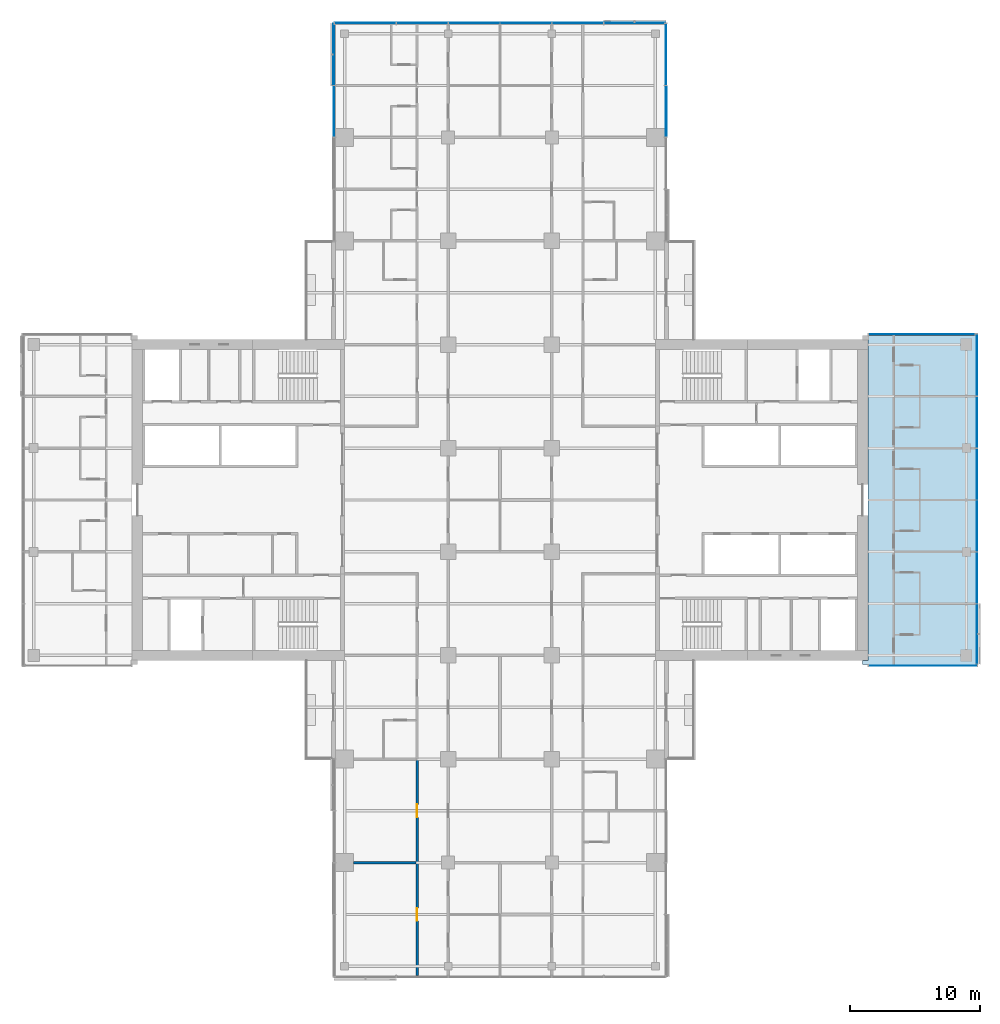
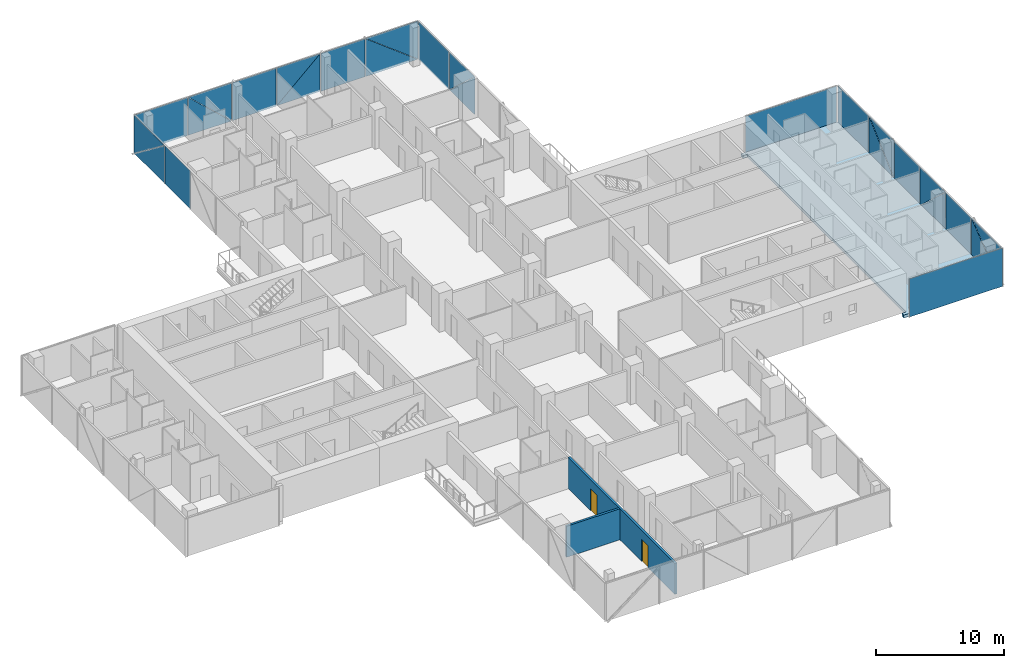
# One storey, part 14 of 27: 26 plates, 2 doors, 2 walls, 1 slab, 2 openings, 6 elements without a shape of their own.
"""IFC4 building model written with IfcOpenShell, lengths in metres."""

from ifc_helpers import new_model, si_unit, direction, frame, frame_2d, origin, place, context, subcontext, project, spatial, polyline, rectangle, outline, extrude, material, layer, layer_set, type_object, element, fill, aggregate, save


model = new_model("IFC4")

# Units and contexts
model_context = context("Model", 3, precision=1e-05, world=origin(), true_north=direction((0.0, 1.0)))
body_context = subcontext(model_context, "Body", "Model", "MODEL_VIEW")
ifc_project = project(units=[si_unit("LENGTHUNIT", "METRE"), si_unit("AREAUNIT", "SQUARE_METRE"), si_unit("VOLUMEUNIT", "CUBIC_METRE"), si_unit("PLANEANGLEUNIT", "RADIAN"), si_unit("MASSUNIT", "GRAM", prefix="KILO")], contexts=[model_context])

# Site, building, storey
site_placement = place(None, origin())
site = spatial("IfcSite", under=ifc_project, at=site_placement, CompositionType="ELEMENT")
building_placement = place(site_placement, origin())
building = spatial("IfcBuilding", under=site, at=building_placement, Name="Crosswind Convention Tower", CompositionType="ELEMENT")
storey_placement = place(building_placement, frame((0.0, 0.0, 90.5)))
storey = spatial("IfcBuildingStorey", under=building, at=storey_placement, Name="L17", CompositionType="ELEMENT", Elevation=90.5)

# Slab
ifc_material_1 = material(Name="Concrete C40/50", Category="concrete")
ifc_layer_1 = layer(ifc_material_1, 0.280029296875)
ifc_layer_set_1 = layer_set([ifc_layer_1], Name="Concrete C40/50")
slab_type = type_object("IfcSlabType", Name="Composite floor slab 280", PredefinedType="FLOOR", material=ifc_layer_set_1)
slab_placement = place(storey_placement, frame((0.0, 0.0, -0.280029296875)))
element("IfcSlab", 1, at=slab_placement, inside=storey, type_object=slab_type, Name="Floor slab L17 part 3", PredefinedType="FLOOR", context=body_context, shape_type="SweptSolid", body=[
    extrude(outline(polyline([(153.0, 112.699951171875), (161.0, 112.699951171875), (161.699951171875, 112.699951171875), (161.699951171875, 112.0), (161.699951171875, 88.0), (161.699951171875, 87.300048828125), (161.0, 87.300048828125), (153.0, 87.300048828125), (153.0, 87.60009765625), (153.39990234375, 87.60009765625), (153.39990234375, 112.39990234375), (153.0, 112.39990234375), (153.0, 112.699951171875)])), origin(), (0.0, 0.0, 1.0), 0.280029296875),
])

# Curtain wall, plate
ifc_material_2 = material(Name="Aluminium unitised curtain wall", Category="aluminium")
curtain_wall_type_1 = type_object("IfcCurtainWallType", Name="CORE END SLOT WALL 160", PredefinedType="USERDEFINED", material=ifc_material_2)
curtain_wall_1_placement = place(storey_placement, origin())
curtain_wall_1 = element("IfcCurtainWall", 2, at=curtain_wall_1_placement, inside=storey, type_object=curtain_wall_type_1, Name="CW6 L17 E-N.1-1 slot", ObjectType="UNITISED", PredefinedType="USERDEFINED")
ifc_material_3 = material(Name="Laminated insulating glass unit", Category="glass")
ifc_layer_2 = layer(ifc_material_3, 0.02587890625)
ifc_layer_set_2 = layer_set([ifc_layer_2], Name="TRIANGULAR GLASS PANEL 26")
plate_type_1 = type_object("IfcPlateType", Name="TRIANGULAR GLASS PANEL 26", PredefinedType="CURTAIN_PANEL", material=ifc_layer_set_2)
plate_1_placement = place(storey_placement, frame((161.64990234375, 112.806640625, -0.280029296875), z_axis=(0.0, 0.999999919475, 0.000401310917), x_axis=(-1.0, 0.0, 0.0)))
plate_1 = element("IfcPlate", 3, at=plate_1_placement, type_object=plate_type_1, Name="CW6 panel 1.1", PredefinedType="CURTAIN_PANEL", context=body_context, shape_type="SweptSolid", body=[
    extrude(outline(polyline([(0.0, 0.0), (8.199951171875, 0.0), (8.199951171875, 3.650146778303906), (0.0, 3.650146778303906), (0.0, 0.0)])), origin(), (0.0, 0.0, -1.0), 0.02587890625),
])
aggregate(curtain_wall_1, [plate_1])

curtain_wall_2_placement = place(storey_placement, origin())
curtain_wall_2 = element("IfcCurtainWall", 4, at=curtain_wall_2_placement, inside=storey, type_object=curtain_wall_type_1, Name="CW6 L17 E-S.2-1 slot", ObjectType="UNITISED", PredefinedType="USERDEFINED")
plate_2_placement = place(storey_placement, frame((153.449951171875, 87.193359375, -0.280029296875), z_axis=(0.0, -0.999999919475, 0.000401310917), x_axis=(1.0, 0.0, 0.0)))
plate_2 = element("IfcPlate", 5, at=plate_2_placement, type_object=plate_type_1, Name="CW6 panel 1.1", PredefinedType="CURTAIN_PANEL", context=body_context, shape_type="SweptSolid", body=[
    extrude(outline(polyline([(0.0, 0.0), (8.400146484375, 0.0), (8.400146484375, 3.6501467783039057), (0.0, 3.6501467783039057), (0.0, 0.0)])), origin(), (0.0, 0.0, -1.0), 0.02587890625),
])
aggregate(curtain_wall_2, [plate_2])

# Curtain wall, plates
curtain_wall_type_2 = type_object("IfcCurtainWallType", Name="HOTEL UNITISED WALL 200", PredefinedType="USERDEFINED", material=ifc_material_2)
curtain_wall_3_placement = place(storey_placement, origin())
curtain_wall_3 = element("IfcCurtainWall", 6, at=curtain_wall_3_placement, inside=storey, type_object=curtain_wall_type_2, Name="CW2 L17 E-TIP 1", ObjectType="UNITISED", PredefinedType="USERDEFINED")
ifc_layer_3 = layer(ifc_material_3, 0.028076171875)
ifc_layer_set_3 = layer_set([ifc_layer_3], Name="TRIANGULAR GLASS PANEL 28")
plate_type_2 = type_object("IfcPlateType", Name="TRIANGULAR GLASS PANEL 28", PredefinedType="CURTAIN_PANEL", material=ifc_layer_set_3)
plate_3_placement = place(storey_placement, frame((161.82861328125, 91.967529296875, -0.280029296875), z_axis=(0.999999943217, 0.0, 0.00033699533), x_axis=(-0.00033699533, 0.0, 0.999999943217)))
plate_3 = element("IfcPlate", 7, at=plate_3_placement, type_object=plate_type_2, Name="CW2 panel 1.1", PredefinedType="CURTAIN_PANEL", context=body_context, shape_type="SweptSolid", body=[
    extrude(outline(polyline([(0.0, 0.0), (3.6223146588106325, 0.0), (0.0, 4.58642578125), (0.0, 0.0)])), origin(), (0.0, 0.0, -1.0), 0.028076171875),
])
plate_4_placement = place(storey_placement, frame((161.857177734375, 87.364990234375, 3.35498046875), z_axis=(0.999999918233, 0.0, 0.000404394386), x_axis=(0.000404394386, 0.0, -0.999999918233)))
plate_4 = element("IfcPlate", 8, at=plate_4_placement, type_object=plate_type_2, Name="CW2 panel 1.2", PredefinedType="CURTAIN_PANEL", context=body_context, shape_type="SweptSolid", body=[
    extrude(outline(polyline([(0.0, 0.0), (3.6223147493123067, 0.0), (0.0, 4.58642578125), (0.0, 0.0)])), origin(), (0.0, 0.0, -1.0), 0.028076171875),
])
plate_5_placement = place(storey_placement, frame((161.82861328125, 92.032470703125, -0.280029296875), z_axis=(0.999999943613, 0.0, 0.00033581837), x_axis=(0.0, 1.0, 0.0)))
plate_5 = element("IfcPlate", 9, at=plate_5_placement, type_object=plate_type_2, Name="CW2 panel 2.1", PredefinedType="CURTAIN_PANEL", context=body_context, shape_type="SweptSolid", body=[
    extrude(outline(polyline([(0.0, 0.0), (3.93505859375, 0.0), (3.93505859375, 3.635009970592273), (0.0, 3.635009970592273), (0.0, 0.0)])), origin(), (0.0, 0.0, -1.0), 0.028076171875),
])
plate_6_placement = place(storey_placement, frame((161.827392578125, 99.967529296875, 3.35498046875), z_axis=(0.999999943186, 0.0, 0.000337086208), x_axis=(0.0, -1.0, 0.0)))
plate_6 = element("IfcPlate", 10, at=plate_6_placement, type_object=plate_type_2, Name="CW2 panel 3.1", PredefinedType="CURTAIN_PANEL", context=body_context, shape_type="SweptSolid", body=[
    extrude(outline(polyline([(0.0, 0.0), (3.92041015625, 0.0), (0.0, 3.6213380963660997), (0.0, 0.0)])), origin(), (0.0, 0.0, -1.0), 0.028076171875),
])
plate_7_placement = place(storey_placement, frame((161.858642578125, 96.032470703125, -0.280029296875), z_axis=(0.999999918188, 0.0, 0.000404503439), x_axis=(0.0, 1.0, 0.0)))
plate_7 = element("IfcPlate", 11, at=plate_7_placement, type_object=plate_type_2, Name="CW2 panel 3.2", PredefinedType="CURTAIN_PANEL", context=body_context, shape_type="SweptSolid", body=[
    extrude(outline(polyline([(0.0, 0.0), (3.92041015625, 0.0), (0.0, 3.6213381868921792), (0.0, 0.0)])), origin(), (0.0, 0.0, -1.0), 0.028076171875),
])
plate_8_placement = place(storey_placement, frame((161.82861328125, 100.032470703125, -0.280029296875), z_axis=(0.999999943613, 0.0, 0.00033581837), x_axis=(0.0, 1.0, 0.0)))
plate_8 = element("IfcPlate", 12, at=plate_8_placement, type_object=plate_type_2, Name="CW2 panel 4.1", PredefinedType="CURTAIN_PANEL", context=body_context, shape_type="SweptSolid", body=[
    extrude(outline(polyline([(0.0, 0.0), (3.93505859375, 0.0), (3.93505859375, 3.635009970592273), (0.0, 3.635009970592273), (0.0, 0.0)])), origin(), (0.0, 0.0, -1.0), 0.028076171875),
])
plate_9_placement = place(storey_placement, frame((161.82861328125, 107.967529296875, -0.280029296875), z_axis=(0.999999943186, 0.0, 0.000337086208), x_axis=(-0.000337086208, 0.0, 0.999999943186)))
plate_9 = element("IfcPlate", 13, at=plate_9_placement, type_object=plate_type_2, Name="CW2 panel 5.1", PredefinedType="CURTAIN_PANEL", context=body_context, shape_type="SweptSolid", body=[
    extrude(outline(polyline([(0.0, 0.0), (3.6213380963660997, 0.0), (0.0, 3.920410156250001), (0.0, 0.0)])), origin(), (0.0, 0.0, -1.0), 0.028076171875),
])
plate_10_placement = place(storey_placement, frame((161.857177734375, 104.032470703125, 3.35498046875), z_axis=(0.999999918188, 0.0, 0.000404503439), x_axis=(0.000404503439, 0.0, -0.999999918188)))
plate_10 = element("IfcPlate", 14, at=plate_10_placement, type_object=plate_type_2, Name="CW2 panel 5.2", PredefinedType="CURTAIN_PANEL", context=body_context, shape_type="SweptSolid", body=[
    extrude(outline(polyline([(0.0, 0.0), (3.6213381868921797, 0.0), (0.0, 3.92041015625), (0.0, 0.0)])), origin(), (0.0, 0.0, -1.0), 0.028076171875),
])
plate_11_placement = place(storey_placement, frame((161.82861328125, 108.032470703125, -0.280029296875), z_axis=(0.999999943613, 0.0, 0.00033581837), x_axis=(0.0, 1.0, 0.0)))
plate_11 = element("IfcPlate", 15, at=plate_11_placement, type_object=plate_type_2, Name="CW2 panel 6.1", PredefinedType="CURTAIN_PANEL", context=body_context, shape_type="SweptSolid", body=[
    extrude(outline(polyline([(0.0, 0.0), (4.762451171875, 0.0), (4.762451171875, 3.635009970592273), (0.0, 3.635009970592273), (0.0, 0.0)])), origin(), (0.0, 0.0, -1.0), 0.028076171875),
])
aggregate(curtain_wall_3, [plate_3, plate_4, plate_5, plate_6, plate_7, plate_8, plate_9, plate_10, plate_11])

curtain_wall_4_placement = place(storey_placement, origin())
curtain_wall_4 = element("IfcCurtainWall", 16, at=curtain_wall_4_placement, inside=storey, type_object=curtain_wall_type_2, Name="CW2 L17 N-E 1", ObjectType="UNITISED", PredefinedType="USERDEFINED")
plate_12_placement = place(storey_placement, frame((137.827392578125, 131.967529296875, 3.35498046875), z_axis=(0.999999943186, 0.0, 0.000337086208), x_axis=(0.0, -1.0, 0.0)))
plate_12 = element("IfcPlate", 17, at=plate_12_placement, type_object=plate_type_2, Name="CW2 panel 3.1", PredefinedType="CURTAIN_PANEL", context=body_context, shape_type="SweptSolid", body=[
    extrude(outline(polyline([(0.0, 0.0), (3.92041015625, 0.0), (0.0, 3.6213380963660997), (0.0, 0.0)])), origin(), (0.0, 0.0, -1.0), 0.028076171875),
])
plate_13_placement = place(storey_placement, frame((137.858642578125, 128.032470703125, -0.280029296875), z_axis=(0.999999918188, 0.0, 0.000404503439), x_axis=(0.0, 1.0, 0.0)))
plate_13 = element("IfcPlate", 18, at=plate_13_placement, type_object=plate_type_2, Name="CW2 panel 3.2", PredefinedType="CURTAIN_PANEL", context=body_context, shape_type="SweptSolid", body=[
    extrude(outline(polyline([(0.0, 0.0), (3.92041015625, 0.0), (0.0, 3.6213381868921792), (0.0, 0.0)])), origin(), (0.0, 0.0, -1.0), 0.028076171875),
])
plate_14_placement = place(storey_placement, frame((137.82861328125, 132.032470703125, -0.280029296875), z_axis=(0.999999943613, 0.0, 0.00033581837), x_axis=(0.0, 1.0, 0.0)))
plate_14 = element("IfcPlate", 19, at=plate_14_placement, type_object=plate_type_2, Name="CW2 panel 4.1", PredefinedType="CURTAIN_PANEL", context=body_context, shape_type="SweptSolid", body=[
    extrude(outline(polyline([(0.0, 0.0), (4.735107421875, 0.0), (4.735107421875, 3.6350099705922725), (0.0, 3.6350099705922725), (0.0, 0.0)])), origin(), (0.0, 0.0, -1.0), 0.028076171875),
])
aggregate(curtain_wall_4, [plate_12, plate_13, plate_14])

curtain_wall_5_placement = place(storey_placement, origin())
curtain_wall_5 = element("IfcCurtainWall", 20, at=curtain_wall_5_placement, inside=storey, type_object=curtain_wall_type_2, Name="CW2 L17 N-TIP 1", ObjectType="UNITISED", PredefinedType="USERDEFINED")
plate_15_placement = place(storey_placement, frame((133.032470703125, 136.82861328125, -0.280029296875), z_axis=(0.0, 0.999999943217, 0.00033699533), x_axis=(0.0, -0.00033699533, 0.999999943217)))
plate_15 = element("IfcPlate", 21, at=plate_15_placement, type_object=plate_type_2, Name="CW2 panel 1.1", PredefinedType="CURTAIN_PANEL", context=body_context, shape_type="SweptSolid", body=[
    extrude(outline(polyline([(0.0, 0.0), (3.6223146588106325, 0.0), (0.0, 4.718505859374999), (0.0, 0.0)])), origin(), (0.0, 0.0, -1.0), 0.028076171875),
])
plate_16_placement = place(storey_placement, frame((137.767578125, 136.857177734375, 3.35498046875), z_axis=(0.0, 0.999999918233, 0.000404394386), x_axis=(0.0, 0.000404394386, -0.999999918233)))
plate_16 = element("IfcPlate", 22, at=plate_16_placement, type_object=plate_type_2, Name="CW2 panel 1.2", PredefinedType="CURTAIN_PANEL", context=body_context, shape_type="SweptSolid", body=[
    extrude(outline(polyline([(0.0, 0.0), (3.6223147493123067, 0.0), (0.0, 4.71875), (0.0, 0.0)])), origin(), (0.0, 0.0, -1.0), 0.028076171875),
])
plate_17_placement = place(storey_placement, frame((132.967529296875, 136.82861328125, -0.280029296875), z_axis=(0.0, 0.999999943613, 0.00033581837), x_axis=(-1.0, 0.0, 0.0)))
plate_17 = element("IfcPlate", 23, at=plate_17_placement, type_object=plate_type_2, Name="CW2 panel 2.1", PredefinedType="CURTAIN_PANEL", context=body_context, shape_type="SweptSolid", body=[
    extrude(outline(polyline([(0.0, 0.0), (3.93505859375, 0.0), (3.93505859375, 3.635009970592273), (0.0, 3.635009970592273), (0.0, 0.0)])), origin(), (0.0, 0.0, -1.0), 0.028076171875),
])
plate_18_placement = place(storey_placement, frame((125.032470703125, 136.827392578125, 3.35498046875), z_axis=(0.0, 0.999999943186, 0.000337086208), x_axis=(1.0, 0.0, 0.0)))
plate_18 = element("IfcPlate", 24, at=plate_18_placement, type_object=plate_type_2, Name="CW2 panel 3.1", PredefinedType="CURTAIN_PANEL", context=body_context, shape_type="SweptSolid", body=[
    extrude(outline(polyline([(0.0, 0.0), (3.92041015625, 0.0), (0.0, 3.6213380963660997), (0.0, 0.0)])), origin(), (0.0, 0.0, -1.0), 0.028076171875),
])
plate_19_placement = place(storey_placement, frame((128.967529296875, 136.858642578125, -0.280029296875), z_axis=(0.0, 0.999999918188, 0.000404503439), x_axis=(-1.0, 0.0, 0.0)))
plate_19 = element("IfcPlate", 25, at=plate_19_placement, type_object=plate_type_2, Name="CW2 panel 3.2", PredefinedType="CURTAIN_PANEL", context=body_context, shape_type="SweptSolid", body=[
    extrude(outline(polyline([(0.0, 0.0), (3.92041015625, 0.0), (0.0, 3.6213381868921792), (0.0, 0.0)])), origin(), (0.0, 0.0, -1.0), 0.028076171875),
])
plate_20_placement = place(storey_placement, frame((124.967529296875, 136.82861328125, -0.280029296875), z_axis=(0.0, 0.999999943613, 0.00033581837), x_axis=(-1.0, 0.0, 0.0)))
plate_20 = element("IfcPlate", 26, at=plate_20_placement, type_object=plate_type_2, Name="CW2 panel 4.1", PredefinedType="CURTAIN_PANEL", context=body_context, shape_type="SweptSolid", body=[
    extrude(outline(polyline([(0.0, 0.0), (3.93505859375, 0.0), (3.93505859375, 3.635009970592273), (0.0, 3.635009970592273), (0.0, 0.0)])), origin(), (0.0, 0.0, -1.0), 0.028076171875),
])
plate_21_placement = place(storey_placement, frame((117.032470703125, 136.82861328125, -0.280029296875), z_axis=(0.0, 0.999999943186, 0.000337086208), x_axis=(0.0, -0.000337086208, 0.999999943186)))
plate_21 = element("IfcPlate", 27, at=plate_21_placement, type_object=plate_type_2, Name="CW2 panel 5.1", PredefinedType="CURTAIN_PANEL", context=body_context, shape_type="SweptSolid", body=[
    extrude(outline(polyline([(0.0, 0.0), (3.6213380963660997, 0.0), (0.0, 3.920410156250001), (0.0, 0.0)])), origin(), (0.0, 0.0, -1.0), 0.028076171875),
])
plate_22_placement = place(storey_placement, frame((120.967529296875, 136.857177734375, 3.35498046875), z_axis=(0.0, 0.999999918188, 0.000404503439), x_axis=(0.0, 0.000404503439, -0.999999918188)))
plate_22 = element("IfcPlate", 28, at=plate_22_placement, type_object=plate_type_2, Name="CW2 panel 5.2", PredefinedType="CURTAIN_PANEL", context=body_context, shape_type="SweptSolid", body=[
    extrude(outline(polyline([(0.0, 0.0), (3.6213381868921797, 0.0), (0.0, 3.92041015625), (0.0, 0.0)])), origin(), (0.0, 0.0, -1.0), 0.028076171875),
])
plate_23_placement = place(storey_placement, frame((116.967529296875, 136.82861328125, -0.280029296875), z_axis=(0.0, 0.999999943613, 0.00033581837), x_axis=(-1.0, 0.0, 0.0)))
plate_23 = element("IfcPlate", 29, at=plate_23_placement, type_object=plate_type_2, Name="CW2 panel 6.1", PredefinedType="CURTAIN_PANEL", context=body_context, shape_type="SweptSolid", body=[
    extrude(outline(polyline([(0.0, 0.0), (4.735107421875, 0.0), (4.735107421875, 3.6350099705922725), (0.0, 3.6350099705922725), (0.0, 0.0)])), origin(), (0.0, 0.0, -1.0), 0.028076171875),
])
aggregate(curtain_wall_5, [plate_15, plate_16, plate_17, plate_18, plate_19, plate_20, plate_21, plate_22, plate_23])

curtain_wall_6_placement = place(storey_placement, origin())
curtain_wall_6 = element("IfcCurtainWall", 30, at=curtain_wall_6_placement, inside=storey, type_object=curtain_wall_type_2, Name="CW2 L17 N-W 1", ObjectType="UNITISED", PredefinedType="USERDEFINED")
plate_24_placement = place(storey_placement, frame((112.17138671875, 132.032470703125, -0.280029296875), z_axis=(-0.999999943217, 0.0, 0.00033699533), x_axis=(0.00033699533, 0.0, 0.999999943217)))
plate_24 = element("IfcPlate", 31, at=plate_24_placement, type_object=plate_type_2, Name="CW2 panel 1.1", PredefinedType="CURTAIN_PANEL", context=body_context, shape_type="SweptSolid", body=[
    extrude(outline(polyline([(0.0, 0.0), (3.6223146588106325, 0.0), (0.0, 4.718505859374999), (0.0, 0.0)])), origin(), (0.0, 0.0, -1.0), 0.028076171875),
])
plate_25_placement = place(storey_placement, frame((112.142822265625, 136.767578125, 3.35498046875), z_axis=(-0.999999918233, 0.0, 0.000404394386), x_axis=(-0.000404394386, 0.0, -0.999999918233)))
plate_25 = element("IfcPlate", 32, at=plate_25_placement, type_object=plate_type_2, Name="CW2 panel 1.2", PredefinedType="CURTAIN_PANEL", context=body_context, shape_type="SweptSolid", body=[
    extrude(outline(polyline([(0.0, 0.0), (3.6223147493123067, 0.0), (0.0, 4.71875), (0.0, 0.0)])), origin(), (0.0, 0.0, -1.0), 0.028076171875),
])
plate_26_placement = place(storey_placement, frame((112.17138671875, 131.967529296875, -0.280029296875), z_axis=(-0.999999943613, 0.0, 0.00033581837), x_axis=(0.0, -1.0, 0.0)))
plate_26 = element("IfcPlate", 33, at=plate_26_placement, type_object=plate_type_2, Name="CW2 panel 2.1", PredefinedType="CURTAIN_PANEL", context=body_context, shape_type="SweptSolid", body=[
    extrude(outline(polyline([(0.0, 0.0), (3.93505859375, 0.0), (3.93505859375, 3.635009970592273), (0.0, 3.635009970592273), (0.0, 0.0)])), origin(), (0.0, 0.0, -1.0), 0.028076171875),
])
aggregate(curtain_wall_6, [plate_24, plate_25, plate_26])

# Wall
ifc_material_4 = material(Name="Double plasterboard partition", Category="gypsum")
ifc_layer_4 = layer(ifc_material_4, 0.199951171875)
ifc_layer_set_4 = layer_set([ifc_layer_4], Name="HALL WALL 200")
wall_type = type_object("IfcWallType", Name="HALL WALL 200", PredefinedType="PARTITIONING", material=ifc_layer_set_4)
wall_1_placement = place(storey_placement, frame((113.699951171875, 72.0, 0.0), z_axis=(0.0, 0.0, 1.0), x_axis=(1.0, 0.0, 0.0)))
element("IfcWall", 34, at=wall_1_placement, inside=storey, type_object=wall_type, Name="Hall Wall 3", PredefinedType="PARTITIONING", context=body_context, shape_type="SweptSolid", body=[
    extrude(rectangle(XDim=4.800048828125, YDim=0.199951171875, at=frame_2d((2.39990234375, 0.0))), origin(), (0.0, 0.0, 1.0), 2.959716796875),
])

# Wall, openings, doors
wall_2_placement = place(storey_placement, frame((118.60009765625, 63.300048828125, 0.0), z_axis=(0.0, 0.0, 1.0), x_axis=(0.0, 1.0, 0.0)))
wall_2 = element("IfcWall", 35, at=wall_2_placement, inside=storey, type_object=wall_type, Name="Hall Wall 78", PredefinedType="PARTITIONING", context=body_context, shape_type="SweptSolid", body=[
    extrude(rectangle(XDim=16.699951171875, YDim=0.199951171875, at=frame_2d((8.35009765625, 0.0))), origin(), (0.0, 0.0, 1.0), 2.959716796875),
])
opening_1_placement = place(wall_2_placement, frame((12.199951171875, 0.0, 0.0)))
opening_1 = element("IfcOpeningElement", 36, at=opening_1_placement, cuts=wall_2, Name="Opening 17.026", PredefinedType="OPENING", context=body_context, shape_type="SweptSolid", body=[
    extrude(rectangle(XDim=1.0, YDim=2.10009765625, at=frame_2d((0.5, 1.050048828125))), frame((0.0, 0.10986328125, 0.0), z_axis=(0.0, -1.0, 0.0), x_axis=(1.0, 0.0, 0.0)), (0.0, 0.0, 1.0), 0.219970703125),
])
opening_2_placement = place(wall_2_placement, frame((4.199951171875, 0.0, 0.0)))
opening_2 = element("IfcOpeningElement", 37, at=opening_2_placement, cuts=wall_2, Name="Opening 17.027", PredefinedType="OPENING", context=body_context, shape_type="SweptSolid", body=[
    extrude(rectangle(XDim=1.0, YDim=2.10009765625, at=frame_2d((0.5, 1.050048828125))), frame((0.0, 0.10986328125, 0.0), z_axis=(0.0, -1.0, 0.0), x_axis=(1.0, 0.0, 0.0)), (0.0, 0.0, 1.0), 0.219970703125),
])
ifc_material_5 = material(Name="Timber fire door", Category="wood")
door_type = type_object("IfcDoorType", Name="MEETING ROOM DOOR 1000X2100", OperationType="NOTDEFINED", PredefinedType="DOOR", material=ifc_material_5)
door_1_placement = place(opening_1_placement, frame((1.0, 0.0, 0.0), z_axis=(0.0, 0.0, 1.0), x_axis=(-1.0, 0.0, 0.0)))
door_1 = element("IfcDoor", 38, at=door_1_placement, inside=storey, type_object=door_type, Name="Door 17.026", ObjectType="D13", OperationType="SINGLE_SWING_LEFT", OverallHeight=2.10009765625, OverallWidth=1.0, PredefinedType="DOOR", context=body_context, shape_type="SweptSolid", body=[
    extrude(rectangle(XDim=1.0, YDim=2.10009765625, at=frame_2d((0.5, 1.050048828125))), frame((0.0, 0.02490234375, 0.0), z_axis=(0.0, -1.0, 0.0), x_axis=(1.0, 0.0, 0.0)), (0.0, 0.0, 1.0), 0.050048828125),
])
fill(opening_1, door_1)
door_2_placement = place(opening_2_placement, frame((1.0, 0.0, 0.0), z_axis=(0.0, 0.0, 1.0), x_axis=(-1.0, 0.0, 0.0)))
door_2 = element("IfcDoor", 39, at=door_2_placement, inside=storey, type_object=door_type, Name="Door 17.027", ObjectType="D13", OperationType="SINGLE_SWING_RIGHT", OverallHeight=2.10009765625, OverallWidth=1.0, PredefinedType="DOOR", context=body_context, shape_type="SweptSolid", body=[
    extrude(rectangle(XDim=1.0, YDim=2.10009765625, at=frame_2d((0.5, 1.050048828125))), frame((0.0, 0.02490234375, 0.0), z_axis=(0.0, -1.0, 0.0), x_axis=(1.0, 0.0, 0.0)), (0.0, 0.0, 1.0), 0.050048828125),
])
fill(opening_2, door_2)

save(model, "model.ifc")
